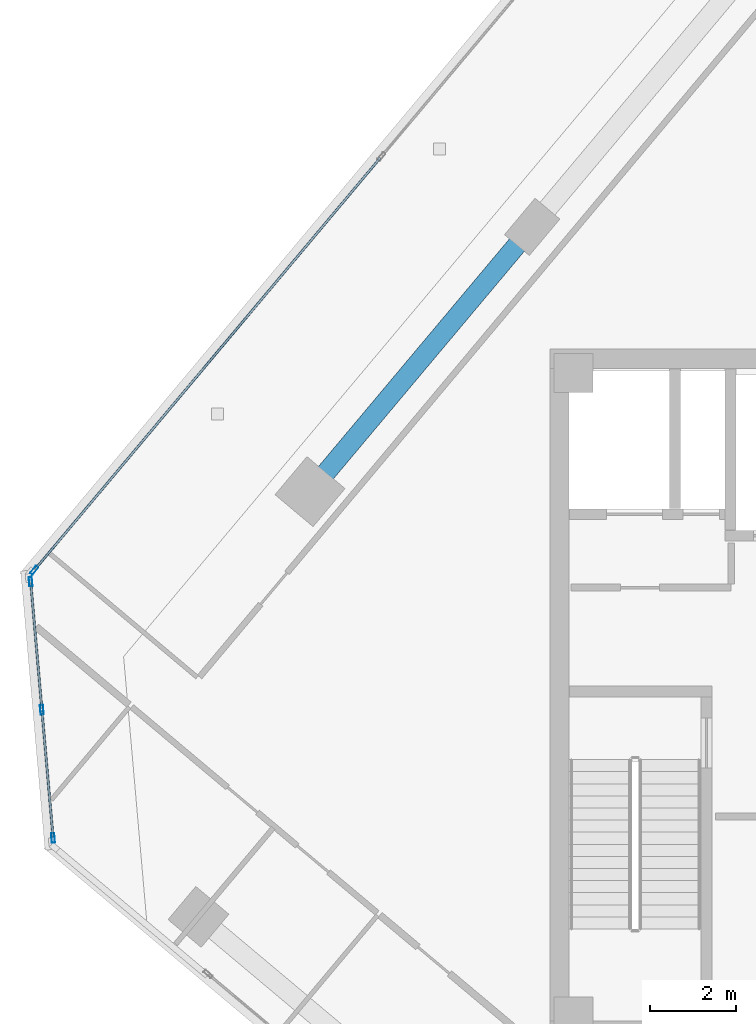
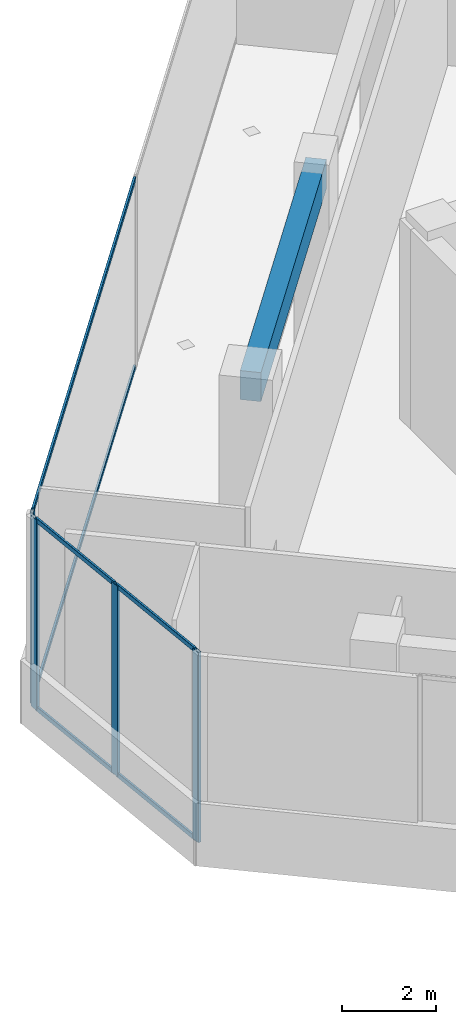
# One storey, part 4 of 17: 10 members, 1 beam, 2 elements without a shape of their own.
"""IFC4 building model written with IfcOpenShell, lengths in metres."""

from ifc_helpers import new_model, si_unit, direction, frame, origin, origin_2d, place, context, subcontext, project, spatial, rectangle, hollow_rectangle, extrude, source, transform, mapped, material, material_profile, profile_set, type_object, element, aggregate, save


model = new_model("IFC4")

# Units and contexts
model_context = context("Model", 3, precision=1e-05, world=origin(), true_north=direction((0.0, 1.0)))
body_context = subcontext(model_context, "Body", "Model", "MODEL_VIEW")
ifc_project = project(units=[si_unit("LENGTHUNIT", "METRE"), si_unit("AREAUNIT", "SQUARE_METRE"), si_unit("VOLUMEUNIT", "CUBIC_METRE"), si_unit("PLANEANGLEUNIT", "RADIAN"), si_unit("MASSUNIT", "GRAM", prefix="KILO")], contexts=[model_context])

# Site, building, storey
site_placement = place(None, origin())
site = spatial("IfcSite", under=ifc_project, at=site_placement, CompositionType="ELEMENT")
building_placement = place(site_placement, origin())
building = spatial("IfcBuilding", under=site, at=building_placement, Name="Torre Montelarca", CompositionType="ELEMENT")
storey_placement = place(building_placement, frame((0.0, 0.0, 215.199951171875)))
storey = spatial("IfcBuildingStorey", under=building, at=storey_placement, Name="L48", CompositionType="ELEMENT", Elevation=215.199951171875)

# Beam
ifc_material_1 = material(Name="Concrete C55/67", Category="concrete")
ifc_material_profile_1 = material_profile(ifc_material_1, rectangle(XDim=0.449951171875, YDim=0.75, at=origin_2d()), Name="RCB450X750", Category="concrete")
ifc_profile_set_1 = profile_set([ifc_material_profile_1], Name="Concrete C55/67")
beam_type = type_object("IfcBeamType", Name="BM-SP-RC750-EXT", PredefinedType="SPANDREL", material=ifc_profile_set_1)
shared_shape_1 = source(origin(), body_context, "Body", "SweptSolid", [
    extrude(rectangle(XDim=0.449951171875, YDim=0.75, at=origin_2d()), origin(), (0.0, 0.0, 1.0), 8.0),
])
beam_placement = place(storey_placement, frame((3.449951171875, 36.70263671875, 4.78515625), z_axis=(0.642786195972, 0.766045629364, 0.0), x_axis=(-0.766045629364, 0.642786195972, 0.0)))
element("IfcBeam", 1, at=beam_placement, inside=storey, type_object=beam_type, Name="L48 Grid Girder Y 24.0-32.0 at X=4.7", PredefinedType="SPANDREL", context=body_context, shape_type="MappedRepresentation", body=[
    mapped(shared_shape_1, transform((0.0, 0.0, 0.0), scale=1.0)),
])

# Curtain wall, member
ifc_material_2 = material(Name="Insulated low-E laminated glass", Category="glass")
curtain_wall_type = type_object("IfcCurtainWallType", Name="CW-SYS-Z3", PredefinedType="USERDEFINED", material=ifc_material_2)
curtain_wall_1_placement = place(storey_placement, origin())
curtain_wall_1 = element("IfcCurtainWall", 2, at=curtain_wall_1_placement, inside=storey, type_object=curtain_wall_type, Name="L48 Curtain Wall Run CW-T3-L48-E10-B1", ObjectType="UNITISED GLAZING", PredefinedType="USERDEFINED")
ifc_material_3 = material(Name="Anodised aluminium AA 6063-T6", Category="aluminium")
ifc_material_profile_2 = material_profile(ifc_material_3, hollow_rectangle(XDim=0.074951171875, YDim=0.219970703125, WallThickness=0.0048828125, InnerFilletRadius=0.0048828125, OuterFilletRadius=0.010009765625, at=origin_2d()), Name="ALU75X220X5", Category="aluminium")
ifc_profile_set_2 = profile_set([ifc_material_profile_2], Name="Anodised aluminium AA 6063-T6")
member_type_1 = type_object("IfcMemberType", Name="CWM-ALU220", PredefinedType="MULLION", material=ifc_profile_set_2)
shared_shape_2 = source(origin(), body_context, "Body", "SweptSolid", [
    extrude(hollow_rectangle(XDim=0.074951171875, YDim=0.219970703125, WallThickness=0.0048828125, InnerFilletRadius=0.0048828125, OuterFilletRadius=0.010009765625, at=origin_2d()), origin(), (0.0, 0.0, 1.0), 4.920166015625),
])
member_1_placement = place(storey_placement, frame((-2.93310546875, 34.883056640625, 0.0), z_axis=(0.0, 0.0, 1.0), x_axis=(0.766043772472, -0.642788408931, 0.0)))
member_1 = element("IfcMember", 3, at=member_1_placement, type_object=member_type_1, Name="CW mullion 3", PredefinedType="MULLION", context=body_context, shape_type="MappedRepresentation", body=[
    mapped(shared_shape_2, transform((0.0, 0.0, 0.0), scale=1.0)),
])

# Curtain wall, members
curtain_wall_2_placement = place(storey_placement, origin())
curtain_wall_2 = element("IfcCurtainWall", 4, at=curtain_wall_2_placement, inside=storey, type_object=curtain_wall_type, Name="L48 Curtain Wall Run CW-T3-L48-E11-B1", ObjectType="UNITISED GLAZING", PredefinedType="USERDEFINED")
member_2_placement = place(storey_placement, frame((-3.01611328125, 34.61962890625, 0.0), z_axis=(0.0, 0.0, 1.0), x_axis=(0.996193789473, 0.087166127681, 0.0)))
member_2 = element("IfcMember", 5, at=member_2_placement, type_object=member_type_1, Name="CW mullion 1", PredefinedType="MULLION", context=body_context, shape_type="MappedRepresentation", body=[
    mapped(shared_shape_2, transform((0.0, 0.0, 0.0), scale=1.0)),
])
member_3_placement = place(storey_placement, frame((-2.756591796875, 31.65234375, 0.0), z_axis=(0.0, 0.0, 1.0), x_axis=(0.996193789473, 0.087166127681, 0.0)))
member_3 = element("IfcMember", 6, at=member_3_placement, type_object=member_type_1, Name="CW mullion 2", PredefinedType="MULLION", context=body_context, shape_type="MappedRepresentation", body=[
    mapped(shared_shape_2, transform((0.0, 0.0, 0.0), scale=1.0)),
])
member_4_placement = place(storey_placement, frame((-2.496826171875, 28.68505859375, 0.0), z_axis=(0.0, 0.0, 1.0), x_axis=(0.996193789473, 0.087166127681, 0.0)))
member_4 = element("IfcMember", 7, at=member_4_placement, type_object=member_type_1, Name="CW mullion 3", PredefinedType="MULLION", context=body_context, shape_type="MappedRepresentation", body=[
    mapped(shared_shape_2, transform((0.0, 0.0, 0.0), scale=1.0)),
])
ifc_material_profile_3 = material_profile(ifc_material_3, hollow_rectangle(XDim=0.054931640625, YDim=0.1201171875, WallThickness=0.00341796875, InnerFilletRadius=0.00341796875, OuterFilletRadius=0.007080078125, at=origin_2d()), Name="ALU55X120X3.5", Category="aluminium")
ifc_profile_set_3 = profile_set([ifc_material_profile_3], Name="Anodised aluminium AA 6063-T6")
member_type_2 = type_object("IfcMemberType", Name="CWT-ALU120", PredefinedType="USERDEFINED", material=ifc_profile_set_3)
shared_shape_3 = source(origin(), body_context, "Body", "SweptSolid", [
    extrude(hollow_rectangle(XDim=0.054931640625, YDim=0.1201171875, WallThickness=0.00341796875, InnerFilletRadius=0.00341796875, OuterFilletRadius=0.007080078125, at=origin_2d()), origin(), (0.0, 0.0, 1.0), 2.903564453125),
])
member_5_placement = place(storey_placement, frame((-3.012939453125, 34.582275390625, 0.027587890625), z_axis=(0.087191982893, -0.996191526826, 0.0), x_axis=(0.996191526826, 0.087191982893, 0.0)))
member_5 = element("IfcMember", 8, at=member_5_placement, type_object=member_type_2, Name="CW transom 1.1", ObjectType="TRANSOM", PredefinedType="USERDEFINED", context=body_context, shape_type="MappedRepresentation", body=[
    mapped(shared_shape_3, transform((0.0, 0.0, 0.0), scale=1.0)),
])
member_6_placement = place(storey_placement, frame((-3.012939453125, 34.582275390625, 4.892578125), z_axis=(0.087191982893, -0.996191526826, 0.0), x_axis=(0.996191526826, 0.087191982893, 0.0)))
member_6 = element("IfcMember", 9, at=member_6_placement, type_object=member_type_2, Name="CW transom 1.2", ObjectType="TRANSOM", PredefinedType="USERDEFINED", context=body_context, shape_type="MappedRepresentation", body=[
    mapped(shared_shape_3, transform((0.0, 0.0, 0.0), scale=1.0)),
])
member_7_placement = place(storey_placement, frame((-2.753173828125, 31.614990234375, 0.027587890625), z_axis=(0.08710854021, -0.996198826652, 0.0), x_axis=(0.996198826652, 0.08710854021, 0.0)))
member_7 = element("IfcMember", 10, at=member_7_placement, type_object=member_type_2, Name="CW transom 2.1", ObjectType="TRANSOM", PredefinedType="USERDEFINED", context=body_context, shape_type="MappedRepresentation", body=[
    mapped(shared_shape_3, transform((0.0, 0.0, 0.0), scale=1.0)),
])
member_8_placement = place(storey_placement, frame((-2.753173828125, 31.614990234375, 4.892578125), z_axis=(0.08710854021, -0.996198826652, 0.0), x_axis=(0.996198826652, 0.08710854021, 0.0)))
member_8 = element("IfcMember", 11, at=member_8_placement, type_object=member_type_2, Name="CW transom 2.2", ObjectType="TRANSOM", PredefinedType="USERDEFINED", context=body_context, shape_type="MappedRepresentation", body=[
    mapped(shared_shape_3, transform((0.0, 0.0, 0.0), scale=1.0)),
])
aggregate(curtain_wall_2, [member_2, member_3, member_4, member_5, member_6, member_7, member_8])

# Member
shared_shape_4 = source(origin(), body_context, "Body", "SweptSolid", [
    extrude(hollow_rectangle(XDim=0.054931640625, YDim=0.1201171875, WallThickness=0.00341796875, InnerFilletRadius=0.00341796875, OuterFilletRadius=0.007080078125, at=origin_2d()), origin(), (0.0, 0.0, 1.0), 12.421875),
])
member_9_placement = place(storey_placement, frame((5.07568359375, 44.427490234375, 0.027587890625), z_axis=(-0.642790525079, -0.766041996805, 0.0), x_axis=(0.766041996805, -0.642790525079, 0.0)))
member_9 = element("IfcMember", 12, at=member_9_placement, type_object=member_type_2, Name="CW transom 2.1", ObjectType="TRANSOM", PredefinedType="USERDEFINED", context=body_context, shape_type="MappedRepresentation", body=[
    mapped(shared_shape_4, transform((0.0, 0.0, 0.0), scale=1.0)),
])

member_10_placement = place(storey_placement, frame((5.07568359375, 44.427490234375, 4.892578125), z_axis=(-0.642790525079, -0.766041996805, 0.0), x_axis=(0.766041996805, -0.642790525079, 0.0)))
member_10 = element("IfcMember", 13, at=member_10_placement, type_object=member_type_2, Name="CW transom 2.2", ObjectType="TRANSOM", PredefinedType="USERDEFINED", context=body_context, shape_type="MappedRepresentation", body=[
    mapped(shared_shape_4, transform((0.0, 0.0, 0.0), scale=1.0)),
])

aggregate(curtain_wall_1, [member_1, member_9, member_10])

save(model, "model.ifc")
